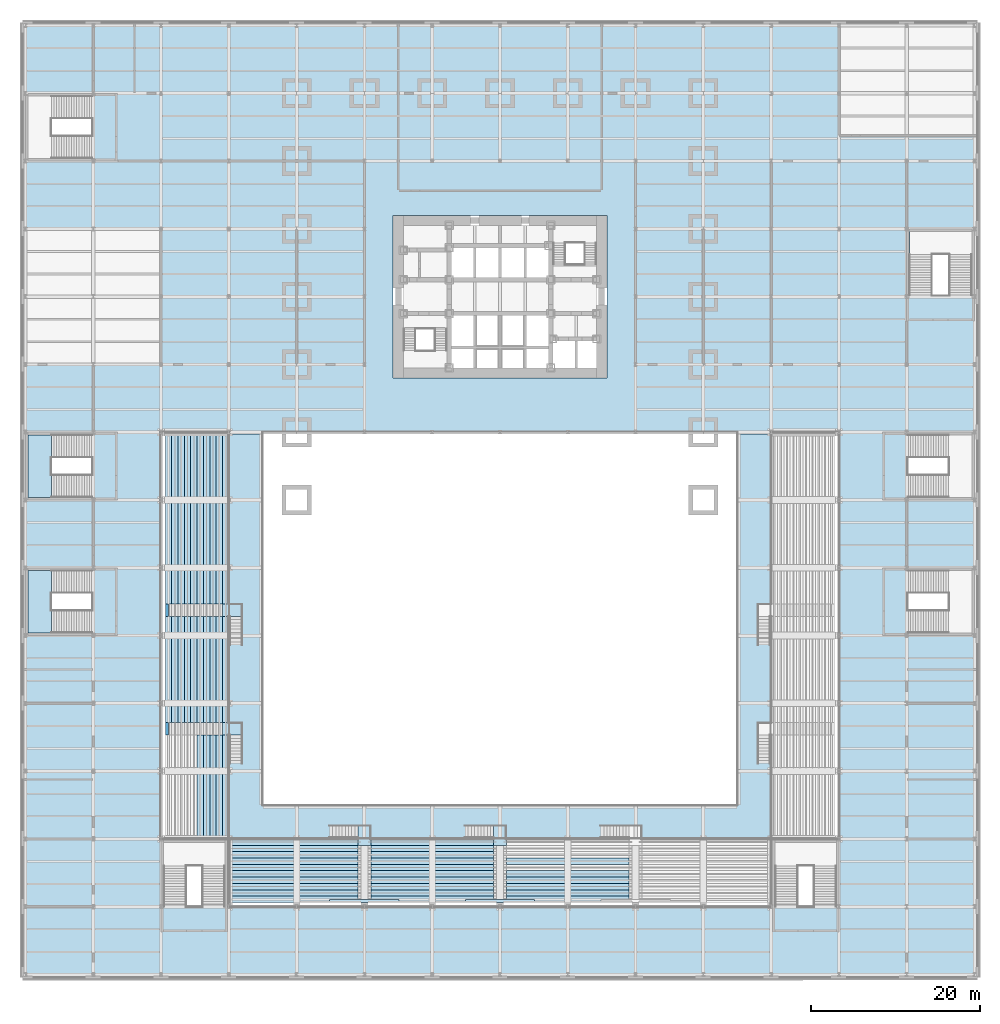
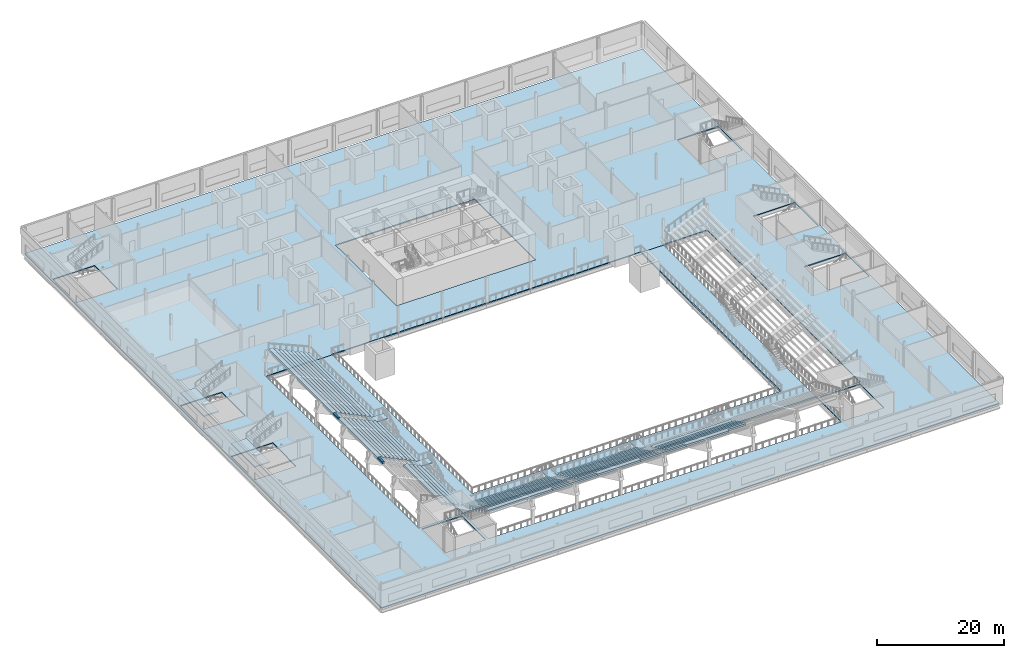
# One storey, part 11 of 27: 63 slabs, 6 elements without a shape of their own.
"""IFC4 building model written with IfcOpenShell, lengths in metres."""

from ifc_helpers import new_model, si_unit, direction, frame, origin, place, context, subcontext, project, spatial, polyline, outline, extrude, material, layer, layer_set, type_object, element, aggregate, save


model = new_model("IFC4")

# Units and contexts
model_context = context("Model", 3, precision=1e-05, world=origin(), true_north=direction((0.0, 1.0)))
body_context = subcontext(model_context, "Body", "Model", "MODEL_VIEW")
ifc_project = project(units=[si_unit("LENGTHUNIT", "METRE"), si_unit("AREAUNIT", "SQUARE_METRE"), si_unit("VOLUMEUNIT", "CUBIC_METRE"), si_unit("PLANEANGLEUNIT", "RADIAN"), si_unit("MASSUNIT", "GRAM", prefix="KILO")], contexts=[model_context])

# Site, building, storey
site_placement = place(None, origin())
site = spatial("IfcSite", under=ifc_project, at=site_placement, CompositionType="ELEMENT")
building_placement = place(site_placement, origin())
building = spatial("IfcBuilding", under=site, at=building_placement, Name="Daluyong Arena Tower", CompositionType="ELEMENT")
storey_placement = place(building_placement, frame((0.0, 0.0, 14.89990234375)))
storey = spatial("IfcBuildingStorey", under=building, at=storey_placement, Name="L03", CompositionType="ELEMENT", Elevation=14.89990234375)

# Slab
ifc_material_1 = material(Name="Concrete fc' 35 MPa", Category="concrete")
ifc_layer_1 = layer(ifc_material_1, 0.199951171875)
ifc_layer_set_1 = layer_set([ifc_layer_1], Name="Concrete fc' 35 MPa")
slab_type_1 = type_object("IfcSlabType", Name="Podium floor slab 200", PredefinedType="FLOOR", material=ifc_layer_set_1)
slab_1_placement = place(storey_placement, frame((0.0, 0.0, -0.199951171875)))
element("IfcSlab", 1, at=slab_1_placement, inside=storey, type_object=slab_type_1, Name="podium floor L03 part 8", PredefinedType="FLOOR", context=body_context, shape_type="SweptSolid", body=[
    extrude(outline(polyline([(112.0, 112.0), (0.0, 112.0), (0.0, 0.0), (112.0, 0.0), (112.0, 112.0)]), holes=[polyline([(88.0, 64.0), (96.0, 64.0), (96.0, 16.0), (88.0, 16.0), (88.0, 8.0), (24.0, 8.0), (24.0, 16.0), (16.0, 16.0), (16.0, 64.0), (24.0, 64.0), (24.0, 63.8095703125), (28.0, 63.8095703125), (28.0, 64.0), (84.0, 64.0), (84.0, 63.8095703125), (88.0, 63.8095703125), (88.0, 64.0)]), polyline([(23.550048828125, 15.550048828125), (23.550048828125, 8.010009765625), (19.0, 8.010009765625), (19.0, 8.06005859375), (16.300048828125, 8.06005859375), (16.300048828125, 15.550048828125), (23.550048828125, 15.550048828125)]), polyline([(7.7900390625, 40.300048828125), (0.300048828125, 40.300048828125), (0.300048828125, 47.699951171875), (7.840087890625, 47.699951171875), (7.840087890625, 43.0), (7.7900390625, 43.0), (7.7900390625, 40.300048828125)]), polyline([(7.7900390625, 56.300048828125), (0.300048828125, 56.300048828125), (0.300048828125, 63.699951171875), (7.840087890625, 63.699951171875), (7.840087890625, 59.0), (7.7900390625, 59.0), (7.7900390625, 56.300048828125)]), polyline([(68.60009765625, 89.60009765625), (68.60009765625, 70.39990234375), (43.39990234375, 70.39990234375), (43.39990234375, 89.60009765625), (68.60009765625, 89.60009765625)]), polyline([(7.7900390625, 99.0), (7.7900390625, 96.300048828125), (0.300048828125, 96.300048828125), (0.300048828125, 103.699951171875), (7.840087890625, 103.699951171875), (7.840087890625, 99.0), (7.7900390625, 99.0)]), polyline([(95.699951171875, 8.010009765625), (91.14990234375, 8.010009765625), (91.14990234375, 8.06005859375), (88.449951171875, 8.06005859375), (88.449951171875, 15.550048828125), (95.699951171875, 15.550048828125), (95.699951171875, 8.010009765625)]), polyline([(104.159912109375, 43.0), (104.159912109375, 47.699951171875), (111.699951171875, 47.699951171875), (111.699951171875, 40.300048828125), (104.2099609375, 40.300048828125), (104.2099609375, 43.0), (104.159912109375, 43.0)]), polyline([(104.2099609375, 59.0), (104.159912109375, 59.0), (104.159912109375, 63.699951171875), (111.699951171875, 63.699951171875), (111.699951171875, 56.300048828125), (104.2099609375, 56.300048828125), (104.2099609375, 59.0)]), polyline([(107.0, 80.159912109375), (107.0, 80.2099609375), (104.300048828125, 80.2099609375), (104.300048828125, 87.699951171875), (111.699951171875, 87.699951171875), (111.699951171875, 80.159912109375), (107.0, 80.159912109375)])]), origin(), (0.0, 0.0, 1.0), 0.199951171875),
])

# Stair, slab
ifc_material_2 = material(Name="Concrete fc' 35 MPa", Category="concrete")
stair_type_1 = type_object("IfcStairType", Name="Podium exit stair", PredefinedType="HALF_TURN_STAIR", material=ifc_material_2)
stair_1_placement = place(storey_placement, origin())
stair_1 = element("IfcStair", 2, at=stair_1_placement, inside=storey, type_object=stair_type_1, Name="exit stair PS3 L03", PredefinedType="HALF_TURN_STAIR")
ifc_material_3 = material(Name="Concrete fc' 35 MPa", Category="concrete")
ifc_layer_2 = layer(ifc_material_3, 0.199951171875)
ifc_layer_set_2 = layer_set([ifc_layer_2], Name="Concrete fc' 35 MPa")
slab_type_2 = type_object("IfcSlabType", Name="Stair landing 200", PredefinedType="LANDING", material=ifc_layer_set_2)
slab_2_placement = place(storey_placement, frame((0.0, 0.0, 2.300048828125)))
slab_2 = element("IfcSlab", 3, at=slab_2_placement, type_object=slab_type_2, Name="PS3 landing 1", PredefinedType="LANDING", context=body_context, shape_type="SweptSolid", body=[
    extrude(outline(polyline([(3.0400390625, 40.300048828125), (3.0400390625, 47.699951171875), (0.300048828125, 47.699951171875), (0.300048828125, 40.300048828125), (3.0400390625, 40.300048828125)])), origin(), (0.0, 0.0, 1.0), 0.199951171875),
])
aggregate(stair_1, [slab_2])

stair_2_placement = place(storey_placement, origin())
stair_2 = element("IfcStair", 4, at=stair_2_placement, inside=storey, type_object=stair_type_1, Name="exit stair PS7 L03", PredefinedType="HALF_TURN_STAIR")
slab_3_placement = place(storey_placement, frame((0.0, 0.0, 2.300048828125)))
slab_3 = element("IfcSlab", 5, at=slab_3_placement, type_object=slab_type_2, Name="PS7 landing 1", PredefinedType="LANDING", context=body_context, shape_type="SweptSolid", body=[
    extrude(outline(polyline([(3.0400390625, 56.300048828125), (3.0400390625, 63.699951171875), (0.300048828125, 63.699951171875), (0.300048828125, 56.300048828125), (3.0400390625, 56.300048828125)])), origin(), (0.0, 0.0, 1.0), 0.199951171875),
])
aggregate(stair_2, [slab_3])

ifc_material_4 = material(Name="Concrete fc' 35 MPa", Category="concrete")
stair_type_2 = type_object("IfcStairType", Name="Bowl aisle stair", PredefinedType="STRAIGHT_RUN_STAIR", material=ifc_material_4)
stair_3_placement = place(storey_placement, origin())
stair_3 = element("IfcStair", 6, at=stair_3_placement, inside=storey, type_object=stair_type_2, Name="upper bowl aisle stair", PredefinedType="STRAIGHT_RUN_STAIR")
slab_4_placement = place(storey_placement, frame((0.0, 0.0, 1.585693359375)))
slab_4 = element("IfcSlab", 7, at=slab_4_placement, type_object=slab_type_2, Name="AS landing 1", PredefinedType="LANDING", context=body_context, shape_type="SweptSolid", body=[
    extrude(outline(polyline([(23.25, 28.25), (25.60009765625, 28.25), (25.60009765625, 29.75), (23.25, 29.75), (23.25, 28.25)])), origin(), (0.0, 0.0, 1.0), 0.2001953125),
])
aggregate(stair_3, [slab_4])

stair_4_placement = place(storey_placement, origin())
stair_4 = element("IfcStair", 8, at=stair_4_placement, inside=storey, type_object=stair_type_2, Name="upper bowl aisle stair", PredefinedType="STRAIGHT_RUN_STAIR")
slab_5_placement = place(storey_placement, frame((0.0, 0.0, 1.585693359375)))
slab_5 = element("IfcSlab", 9, at=slab_5_placement, type_object=slab_type_2, Name="AS landing 1", PredefinedType="LANDING", context=body_context, shape_type="SweptSolid", body=[
    extrude(outline(polyline([(23.25, 42.25), (25.60009765625, 42.25), (25.60009765625, 43.75), (23.25, 43.75), (23.25, 42.25)])), origin(), (0.0, 0.0, 1.0), 0.2001953125),
])
aggregate(stair_4, [slab_5])

stair_5_placement = place(storey_placement, origin())
stair_5 = element("IfcStair", 10, at=stair_5_placement, inside=storey, type_object=stair_type_2, Name="upper bowl aisle stair", PredefinedType="STRAIGHT_RUN_STAIR")
slab_6_placement = place(storey_placement, frame((0.0, 0.0, 1.585693359375)))
slab_6 = element("IfcSlab", 11, at=slab_6_placement, type_object=slab_type_2, Name="AS landing 1", PredefinedType="LANDING", context=body_context, shape_type="SweptSolid", body=[
    extrude(outline(polyline([(39.25, 15.25), (40.75, 15.25), (40.75, 17.60009765625), (39.25, 17.60009765625), (39.25, 15.25)])), origin(), (0.0, 0.0, 1.0), 0.2001953125),
])
aggregate(stair_5, [slab_6])

stair_6_placement = place(storey_placement, origin())
stair_6 = element("IfcStair", 12, at=stair_6_placement, inside=storey, type_object=stair_type_2, Name="upper bowl aisle stair", PredefinedType="STRAIGHT_RUN_STAIR")
slab_7_placement = place(storey_placement, frame((0.0, 0.0, 1.585693359375)))
slab_7 = element("IfcSlab", 13, at=slab_7_placement, type_object=slab_type_2, Name="AS landing 1", PredefinedType="LANDING", context=body_context, shape_type="SweptSolid", body=[
    extrude(outline(polyline([(55.25, 15.25), (56.75, 15.25), (56.75, 17.60009765625), (55.25, 17.60009765625), (55.25, 15.25)])), origin(), (0.0, 0.0, 1.0), 0.2001953125),
])
aggregate(stair_6, [slab_7])

# Slabs
ifc_material_5 = material(Name="Concrete fc' 35 MPa", Category="concrete")
ifc_layer_3 = layer(ifc_material_5, 0.300048828125)
ifc_layer_set_3 = layer_set([ifc_layer_3], Name="Concrete fc' 35 MPa")
slab_type_3 = type_object("IfcSlabType", Name="Upper bowl cross-aisle slab 300", PredefinedType="FLOOR", material=ifc_layer_set_3)
slab_8_placement = place(storey_placement, frame((0.0, 0.0, -0.2998046875)))
element("IfcSlab", 14, at=slab_8_placement, inside=storey, type_object=slab_type_3, Name="upper bowl cross-aisle", PredefinedType="FLOOR", context=body_context, shape_type="SweptSolid", body=[
    extrude(outline(polyline([(88.0, 16.0), (88.0, 63.8095703125), (84.0, 63.8095703125), (84.0, 20.0), (28.0, 20.0), (28.0, 63.8095703125), (24.0, 63.8095703125), (24.0, 16.0), (88.0, 16.0)])), origin(), (0.0, 0.0, 1.0), 0.2998046875),
])
ifc_material_6 = material(Name="Concrete fc' 45 MPa", Category="concrete")
ifc_layer_4 = layer(ifc_material_6, 0.357177734375)
ifc_layer_set_4 = layer_set([ifc_layer_4], Name="Concrete fc' 45 MPa")
slab_type_4 = type_object("IfcSlabType", Name="Upper seating aisle head unit", PredefinedType="USERDEFINED", material=ifc_layer_set_4)
slab_9_placement = place(storey_placement, frame((0.0, 0.0, 4.64306640625)))
element("IfcSlab", 15, at=slab_9_placement, inside=storey, type_object=slab_type_4, Name="upper seating row 10 W aisle head 1", ObjectType="SEATING UNIT", PredefinedType="USERDEFINED", context=body_context, shape_type="SweptSolid", body=[
    extrude(outline(polyline([(16.5, 28.25), (16.875, 28.25), (16.875, 29.75), (16.5, 29.75), (16.5, 28.25)])), origin(), (0.0, 0.0, 1.0), 0.35693359375),
])
slab_10_placement = place(storey_placement, frame((0.0, 0.0, 4.64306640625)))
element("IfcSlab", 16, at=slab_10_placement, inside=storey, type_object=slab_type_4, Name="upper seating row 10 W aisle head 2", ObjectType="SEATING UNIT", PredefinedType="USERDEFINED", context=body_context, shape_type="SweptSolid", body=[
    extrude(outline(polyline([(16.5, 42.25), (16.875, 42.25), (16.875, 43.75), (16.5, 43.75), (16.5, 42.25)])), origin(), (0.0, 0.0, 1.0), 0.35693359375),
])
slab_11_placement = place(storey_placement, frame((0.0, 0.0, 4.64306640625)))
element("IfcSlab", 17, at=slab_11_placement, inside=storey, type_object=slab_type_4, Name="upper seating row 10 S aisle head 1", ObjectType="SEATING UNIT", PredefinedType="USERDEFINED", context=body_context, shape_type="SweptSolid", body=[
    extrude(outline(polyline([(35.89990234375, 8.875), (35.89990234375, 8.5), (44.10009765625, 8.5), (44.10009765625, 8.875), (35.89990234375, 8.875)])), origin(), (0.0, 0.0, 1.0), 0.35693359375),
])
slab_12_placement = place(storey_placement, frame((0.0, 0.0, 4.64306640625)))
element("IfcSlab", 18, at=slab_12_placement, inside=storey, type_object=slab_type_4, Name="upper seating row 10 S aisle head 2", ObjectType="SEATING UNIT", PredefinedType="USERDEFINED", context=body_context, shape_type="SweptSolid", body=[
    extrude(outline(polyline([(60.10009765625, 8.5), (60.10009765625, 8.875), (51.89990234375, 8.875), (51.89990234375, 8.5), (60.10009765625, 8.5)])), origin(), (0.0, 0.0, 1.0), 0.35693359375),
])
ifc_material_7 = material(Name="Concrete fc' 45 MPa", Category="concrete")
ifc_layer_5 = layer(ifc_material_7, 0.357177734375)
ifc_layer_set_5 = layer_set([ifc_layer_5], Name="Concrete fc' 45 MPa")
slab_type_5 = type_object("IfcSlabType", Name="Upper seating unit", PredefinedType="USERDEFINED", material=ifc_layer_set_5)
slab_13_placement = place(storey_placement, frame((0.0, 0.0, 1.4287109375)))
element("IfcSlab", 19, at=slab_13_placement, inside=storey, type_object=slab_type_5, Name="upper seating row 1 W part 1", ObjectType="SEATING UNIT", PredefinedType="USERDEFINED", context=body_context, shape_type="SweptSolid", body=[
    extrude(outline(polyline([(24.0, 16.0), (24.0, 28.25), (23.25, 28.25), (23.25, 16.0), (24.0, 16.0)])), origin(), (0.0, 0.0, 1.0), 0.357177734375),
])
slab_14_placement = place(storey_placement, frame((0.0, 0.0, 1.4287109375)))
element("IfcSlab", 20, at=slab_14_placement, inside=storey, type_object=slab_type_5, Name="upper seating row 1 W part 2", ObjectType="SEATING UNIT", PredefinedType="USERDEFINED", context=body_context, shape_type="SweptSolid", body=[
    extrude(outline(polyline([(24.0, 29.75), (24.0, 42.25), (23.25, 42.25), (23.25, 29.75), (24.0, 29.75)])), origin(), (0.0, 0.0, 1.0), 0.357177734375),
])
slab_15_placement = place(storey_placement, frame((0.0, 0.0, 1.4287109375)))
element("IfcSlab", 21, at=slab_15_placement, inside=storey, type_object=slab_type_5, Name="upper seating row 1 W part 3", ObjectType="SEATING UNIT", PredefinedType="USERDEFINED", context=body_context, shape_type="SweptSolid", body=[
    extrude(outline(polyline([(23.25, 64.0), (23.25, 43.75), (24.0, 43.75), (24.0, 64.0), (23.25, 64.0)])), origin(), (0.0, 0.0, 1.0), 0.357177734375),
])
slab_16_placement = place(storey_placement, frame((0.0, 0.0, 1.4287109375)))
element("IfcSlab", 22, at=slab_16_placement, inside=storey, type_object=slab_type_5, Name="upper seating row 1 S part 1", ObjectType="SEATING UNIT", PredefinedType="USERDEFINED", context=body_context, shape_type="SweptSolid", body=[
    extrude(outline(polyline([(24.0, 15.25), (39.25, 15.25), (39.25, 16.0), (24.0, 16.0), (24.0, 15.25)])), origin(), (0.0, 0.0, 1.0), 0.357177734375),
])
slab_17_placement = place(storey_placement, frame((0.0, 0.0, 1.4287109375)))
element("IfcSlab", 23, at=slab_17_placement, inside=storey, type_object=slab_type_5, Name="upper seating row 1 S part 2", ObjectType="SEATING UNIT", PredefinedType="USERDEFINED", context=body_context, shape_type="SweptSolid", body=[
    extrude(outline(polyline([(55.25, 16.0), (40.75, 16.0), (40.75, 15.25), (55.25, 15.25), (55.25, 16.0)])), origin(), (0.0, 0.0, 1.0), 0.357177734375),
])
slab_18_placement = place(storey_placement, frame((0.0, 0.0, 1.785888671875)))
element("IfcSlab", 24, at=slab_18_placement, inside=storey, type_object=slab_type_5, Name="upper seating row 2 W part 1", ObjectType="SEATING UNIT", PredefinedType="USERDEFINED", context=body_context, shape_type="SweptSolid", body=[
    extrude(outline(polyline([(23.25, 16.0), (23.25, 28.25), (22.5, 28.25), (22.5, 16.0), (23.25, 16.0)])), origin(), (0.0, 0.0, 1.0), 0.357177734375),
])
slab_19_placement = place(storey_placement, frame((0.0, 0.0, 1.785888671875)))
element("IfcSlab", 25, at=slab_19_placement, inside=storey, type_object=slab_type_5, Name="upper seating row 2 W part 2", ObjectType="SEATING UNIT", PredefinedType="USERDEFINED", context=body_context, shape_type="SweptSolid", body=[
    extrude(outline(polyline([(23.25, 29.75), (23.25, 42.25), (22.5, 42.25), (22.5, 29.75), (23.25, 29.75)])), origin(), (0.0, 0.0, 1.0), 0.357177734375),
])
slab_20_placement = place(storey_placement, frame((0.0, 0.0, 1.785888671875)))
element("IfcSlab", 26, at=slab_20_placement, inside=storey, type_object=slab_type_5, Name="upper seating row 2 W part 3", ObjectType="SEATING UNIT", PredefinedType="USERDEFINED", context=body_context, shape_type="SweptSolid", body=[
    extrude(outline(polyline([(22.5, 64.0), (22.5, 43.75), (23.25, 43.75), (23.25, 64.0), (22.5, 64.0)])), origin(), (0.0, 0.0, 1.0), 0.357177734375),
])
slab_21_placement = place(storey_placement, frame((0.0, 0.0, 1.785888671875)))
element("IfcSlab", 27, at=slab_21_placement, inside=storey, type_object=slab_type_5, Name="upper seating row 2 S part 1", ObjectType="SEATING UNIT", PredefinedType="USERDEFINED", context=body_context, shape_type="SweptSolid", body=[
    extrude(outline(polyline([(24.0, 14.5), (39.25, 14.5), (39.25, 15.25), (24.0, 15.25), (24.0, 14.5)])), origin(), (0.0, 0.0, 1.0), 0.357177734375),
])
slab_22_placement = place(storey_placement, frame((0.0, 0.0, 1.785888671875)))
element("IfcSlab", 28, at=slab_22_placement, inside=storey, type_object=slab_type_5, Name="upper seating row 2 S part 2", ObjectType="SEATING UNIT", PredefinedType="USERDEFINED", context=body_context, shape_type="SweptSolid", body=[
    extrude(outline(polyline([(55.25, 15.25), (40.75, 15.25), (40.75, 14.5), (55.25, 14.5), (55.25, 15.25)])), origin(), (0.0, 0.0, 1.0), 0.357177734375),
])
slab_23_placement = place(storey_placement, frame((0.0, 0.0, 2.14306640625)))
element("IfcSlab", 29, at=slab_23_placement, inside=storey, type_object=slab_type_5, Name="upper seating row 3 W part 1", ObjectType="SEATING UNIT", PredefinedType="USERDEFINED", context=body_context, shape_type="SweptSolid", body=[
    extrude(outline(polyline([(22.5, 16.0), (22.5, 28.25), (21.75, 28.25), (21.75, 16.0), (22.5, 16.0)])), origin(), (0.0, 0.0, 1.0), 0.35693359375),
])
slab_24_placement = place(storey_placement, frame((0.0, 0.0, 2.14306640625)))
element("IfcSlab", 30, at=slab_24_placement, inside=storey, type_object=slab_type_5, Name="upper seating row 3 W part 2", ObjectType="SEATING UNIT", PredefinedType="USERDEFINED", context=body_context, shape_type="SweptSolid", body=[
    extrude(outline(polyline([(22.5, 29.75), (22.5, 42.25), (21.75, 42.25), (21.75, 29.75), (22.5, 29.75)])), origin(), (0.0, 0.0, 1.0), 0.35693359375),
])
slab_25_placement = place(storey_placement, frame((0.0, 0.0, 2.14306640625)))
element("IfcSlab", 31, at=slab_25_placement, inside=storey, type_object=slab_type_5, Name="upper seating row 3 W part 3", ObjectType="SEATING UNIT", PredefinedType="USERDEFINED", context=body_context, shape_type="SweptSolid", body=[
    extrude(outline(polyline([(21.75, 64.0), (21.75, 43.75), (22.5, 43.75), (22.5, 64.0), (21.75, 64.0)])), origin(), (0.0, 0.0, 1.0), 0.35693359375),
])
slab_26_placement = place(storey_placement, frame((0.0, 0.0, 2.14306640625)))
element("IfcSlab", 32, at=slab_26_placement, inside=storey, type_object=slab_type_5, Name="upper seating row 3 S part 1", ObjectType="SEATING UNIT", PredefinedType="USERDEFINED", context=body_context, shape_type="SweptSolid", body=[
    extrude(outline(polyline([(24.0, 13.75), (39.25, 13.75), (39.25, 14.5), (24.0, 14.5), (24.0, 13.75)])), origin(), (0.0, 0.0, 1.0), 0.35693359375),
])
slab_27_placement = place(storey_placement, frame((0.0, 0.0, 2.14306640625)))
element("IfcSlab", 33, at=slab_27_placement, inside=storey, type_object=slab_type_5, Name="upper seating row 3 S part 2", ObjectType="SEATING UNIT", PredefinedType="USERDEFINED", context=body_context, shape_type="SweptSolid", body=[
    extrude(outline(polyline([(55.25, 14.5), (40.75, 14.5), (40.75, 13.75), (55.25, 13.75), (55.25, 14.5)])), origin(), (0.0, 0.0, 1.0), 0.35693359375),
])
slab_28_placement = place(storey_placement, frame((0.0, 0.0, 2.5)))
element("IfcSlab", 34, at=slab_28_placement, inside=storey, type_object=slab_type_5, Name="upper seating row 4 W part 1", ObjectType="SEATING UNIT", PredefinedType="USERDEFINED", context=body_context, shape_type="SweptSolid", body=[
    extrude(outline(polyline([(21.75, 16.0), (21.75, 28.25), (21.0, 28.25), (21.0, 16.0), (21.75, 16.0)])), origin(), (0.0, 0.0, 1.0), 0.357177734375),
])
slab_29_placement = place(storey_placement, frame((0.0, 0.0, 2.5)))
element("IfcSlab", 35, at=slab_29_placement, inside=storey, type_object=slab_type_5, Name="upper seating row 4 W part 2", ObjectType="SEATING UNIT", PredefinedType="USERDEFINED", context=body_context, shape_type="SweptSolid", body=[
    extrude(outline(polyline([(21.75, 29.75), (21.75, 42.25), (21.0, 42.25), (21.0, 29.75), (21.75, 29.75)])), origin(), (0.0, 0.0, 1.0), 0.357177734375),
])
slab_30_placement = place(storey_placement, frame((0.0, 0.0, 2.5)))
element("IfcSlab", 36, at=slab_30_placement, inside=storey, type_object=slab_type_5, Name="upper seating row 4 W part 3", ObjectType="SEATING UNIT", PredefinedType="USERDEFINED", context=body_context, shape_type="SweptSolid", body=[
    extrude(outline(polyline([(21.0, 64.0), (21.0, 43.75), (21.75, 43.75), (21.75, 64.0), (21.0, 64.0)])), origin(), (0.0, 0.0, 1.0), 0.357177734375),
])
slab_31_placement = place(storey_placement, frame((0.0, 0.0, 2.5)))
element("IfcSlab", 37, at=slab_31_placement, inside=storey, type_object=slab_type_5, Name="upper seating row 4 S part 1", ObjectType="SEATING UNIT", PredefinedType="USERDEFINED", context=body_context, shape_type="SweptSolid", body=[
    extrude(outline(polyline([(24.0, 13.0), (39.25, 13.0), (39.25, 13.75), (24.0, 13.75), (24.0, 13.0)])), origin(), (0.0, 0.0, 1.0), 0.357177734375),
])
slab_32_placement = place(storey_placement, frame((0.0, 0.0, 2.5)))
element("IfcSlab", 38, at=slab_32_placement, inside=storey, type_object=slab_type_5, Name="upper seating row 4 S part 2", ObjectType="SEATING UNIT", PredefinedType="USERDEFINED", context=body_context, shape_type="SweptSolid", body=[
    extrude(outline(polyline([(55.25, 13.75), (40.75, 13.75), (40.75, 13.0), (55.25, 13.0), (55.25, 13.75)])), origin(), (0.0, 0.0, 1.0), 0.357177734375),
])
slab_33_placement = place(storey_placement, frame((0.0, 0.0, 2.5)))
element("IfcSlab", 39, at=slab_33_placement, inside=storey, type_object=slab_type_5, Name="upper seating row 4 S part 3", ObjectType="SEATING UNIT", PredefinedType="USERDEFINED", context=body_context, shape_type="SweptSolid", body=[
    extrude(outline(polyline([(71.25, 13.75), (56.75, 13.75), (56.75, 13.0), (71.25, 13.0), (71.25, 13.75)])), origin(), (0.0, 0.0, 1.0), 0.357177734375),
])
slab_34_placement = place(storey_placement, frame((0.0, 0.0, 2.857177734375)))
element("IfcSlab", 40, at=slab_34_placement, inside=storey, type_object=slab_type_5, Name="upper seating row 5 W part 1", ObjectType="SEATING UNIT", PredefinedType="USERDEFINED", context=body_context, shape_type="SweptSolid", body=[
    extrude(outline(polyline([(21.0, 16.0), (21.0, 28.25), (20.25, 28.25), (20.25, 16.0), (21.0, 16.0)])), origin(), (0.0, 0.0, 1.0), 0.357177734375),
])
slab_35_placement = place(storey_placement, frame((0.0, 0.0, 2.857177734375)))
element("IfcSlab", 41, at=slab_35_placement, inside=storey, type_object=slab_type_5, Name="upper seating row 5 W part 2", ObjectType="SEATING UNIT", PredefinedType="USERDEFINED", context=body_context, shape_type="SweptSolid", body=[
    extrude(outline(polyline([(21.0, 29.75), (21.0, 42.25), (20.25, 42.25), (20.25, 29.75), (21.0, 29.75)])), origin(), (0.0, 0.0, 1.0), 0.357177734375),
])
slab_36_placement = place(storey_placement, frame((0.0, 0.0, 2.857177734375)))
element("IfcSlab", 42, at=slab_36_placement, inside=storey, type_object=slab_type_5, Name="upper seating row 5 W part 3", ObjectType="SEATING UNIT", PredefinedType="USERDEFINED", context=body_context, shape_type="SweptSolid", body=[
    extrude(outline(polyline([(20.25, 64.0), (20.25, 43.75), (21.0, 43.75), (21.0, 64.0), (20.25, 64.0)])), origin(), (0.0, 0.0, 1.0), 0.357177734375),
])
slab_37_placement = place(storey_placement, frame((0.0, 0.0, 2.857177734375)))
element("IfcSlab", 43, at=slab_37_placement, inside=storey, type_object=slab_type_5, Name="upper seating row 5 S part 1", ObjectType="SEATING UNIT", PredefinedType="USERDEFINED", context=body_context, shape_type="SweptSolid", body=[
    extrude(outline(polyline([(24.0, 12.25), (39.25, 12.25), (39.25, 13.0), (24.0, 13.0), (24.0, 12.25)])), origin(), (0.0, 0.0, 1.0), 0.357177734375),
])
slab_38_placement = place(storey_placement, frame((0.0, 0.0, 2.857177734375)))
element("IfcSlab", 44, at=slab_38_placement, inside=storey, type_object=slab_type_5, Name="upper seating row 5 S part 2", ObjectType="SEATING UNIT", PredefinedType="USERDEFINED", context=body_context, shape_type="SweptSolid", body=[
    extrude(outline(polyline([(55.25, 13.0), (40.75, 13.0), (40.75, 12.25), (55.25, 12.25), (55.25, 13.0)])), origin(), (0.0, 0.0, 1.0), 0.357177734375),
])
slab_39_placement = place(storey_placement, frame((0.0, 0.0, 3.21435546875)))
element("IfcSlab", 45, at=slab_39_placement, inside=storey, type_object=slab_type_5, Name="upper seating row 6 W part 2", ObjectType="SEATING UNIT", PredefinedType="USERDEFINED", context=body_context, shape_type="SweptSolid", body=[
    extrude(outline(polyline([(20.25, 29.75), (20.25, 42.25), (19.5, 42.25), (19.5, 29.75), (20.25, 29.75)])), origin(), (0.0, 0.0, 1.0), 0.357177734375),
])
slab_40_placement = place(storey_placement, frame((0.0, 0.0, 3.21435546875)))
element("IfcSlab", 46, at=slab_40_placement, inside=storey, type_object=slab_type_5, Name="upper seating row 6 W part 3", ObjectType="SEATING UNIT", PredefinedType="USERDEFINED", context=body_context, shape_type="SweptSolid", body=[
    extrude(outline(polyline([(19.5, 64.0), (19.5, 43.75), (20.25, 43.75), (20.25, 64.0), (19.5, 64.0)])), origin(), (0.0, 0.0, 1.0), 0.357177734375),
])
slab_41_placement = place(storey_placement, frame((0.0, 0.0, 3.21435546875)))
element("IfcSlab", 47, at=slab_41_placement, inside=storey, type_object=slab_type_5, Name="upper seating row 6 S part 1", ObjectType="SEATING UNIT", PredefinedType="USERDEFINED", context=body_context, shape_type="SweptSolid", body=[
    extrude(outline(polyline([(24.0, 11.5), (39.25, 11.5), (39.25, 12.25), (24.0, 12.25), (24.0, 11.5)])), origin(), (0.0, 0.0, 1.0), 0.357177734375),
])
slab_42_placement = place(storey_placement, frame((0.0, 0.0, 3.21435546875)))
element("IfcSlab", 48, at=slab_42_placement, inside=storey, type_object=slab_type_5, Name="upper seating row 6 S part 2", ObjectType="SEATING UNIT", PredefinedType="USERDEFINED", context=body_context, shape_type="SweptSolid", body=[
    extrude(outline(polyline([(55.25, 12.25), (40.75, 12.25), (40.75, 11.5), (55.25, 11.5), (55.25, 12.25)])), origin(), (0.0, 0.0, 1.0), 0.357177734375),
])
slab_43_placement = place(storey_placement, frame((0.0, 0.0, 3.21435546875)))
element("IfcSlab", 49, at=slab_43_placement, inside=storey, type_object=slab_type_5, Name="upper seating row 6 S part 3", ObjectType="SEATING UNIT", PredefinedType="USERDEFINED", context=body_context, shape_type="SweptSolid", body=[
    extrude(outline(polyline([(71.25, 12.25), (56.75, 12.25), (56.75, 11.5), (71.25, 11.5), (71.25, 12.25)])), origin(), (0.0, 0.0, 1.0), 0.357177734375),
])
slab_44_placement = place(storey_placement, frame((0.0, 0.0, 3.571533203125)))
element("IfcSlab", 50, at=slab_44_placement, inside=storey, type_object=slab_type_5, Name="upper seating row 7 W part 2", ObjectType="SEATING UNIT", PredefinedType="USERDEFINED", context=body_context, shape_type="SweptSolid", body=[
    extrude(outline(polyline([(19.5, 29.75), (19.5, 42.25), (18.75, 42.25), (18.75, 29.75), (19.5, 29.75)])), origin(), (0.0, 0.0, 1.0), 0.357177734375),
])
slab_45_placement = place(storey_placement, frame((0.0, 0.0, 3.571533203125)))
element("IfcSlab", 51, at=slab_45_placement, inside=storey, type_object=slab_type_5, Name="upper seating row 7 W part 3", ObjectType="SEATING UNIT", PredefinedType="USERDEFINED", context=body_context, shape_type="SweptSolid", body=[
    extrude(outline(polyline([(18.75, 64.0), (18.75, 43.75), (19.5, 43.75), (19.5, 64.0), (18.75, 64.0)])), origin(), (0.0, 0.0, 1.0), 0.357177734375),
])
slab_46_placement = place(storey_placement, frame((0.0, 0.0, 3.571533203125)))
element("IfcSlab", 52, at=slab_46_placement, inside=storey, type_object=slab_type_5, Name="upper seating row 7 S part 1", ObjectType="SEATING UNIT", PredefinedType="USERDEFINED", context=body_context, shape_type="SweptSolid", body=[
    extrude(outline(polyline([(24.0, 10.75), (39.25, 10.75), (39.25, 11.5), (24.0, 11.5), (24.0, 10.75)])), origin(), (0.0, 0.0, 1.0), 0.357177734375),
])
slab_47_placement = place(storey_placement, frame((0.0, 0.0, 3.571533203125)))
element("IfcSlab", 53, at=slab_47_placement, inside=storey, type_object=slab_type_5, Name="upper seating row 7 S part 2", ObjectType="SEATING UNIT", PredefinedType="USERDEFINED", context=body_context, shape_type="SweptSolid", body=[
    extrude(outline(polyline([(55.25, 11.5), (40.75, 11.5), (40.75, 10.75), (55.25, 10.75), (55.25, 11.5)])), origin(), (0.0, 0.0, 1.0), 0.357177734375),
])
slab_48_placement = place(storey_placement, frame((0.0, 0.0, 3.571533203125)))
element("IfcSlab", 54, at=slab_48_placement, inside=storey, type_object=slab_type_5, Name="upper seating row 7 S part 3", ObjectType="SEATING UNIT", PredefinedType="USERDEFINED", context=body_context, shape_type="SweptSolid", body=[
    extrude(outline(polyline([(71.25, 11.5), (56.75, 11.5), (56.75, 10.75), (71.25, 10.75), (71.25, 11.5)])), origin(), (0.0, 0.0, 1.0), 0.357177734375),
])
slab_49_placement = place(storey_placement, frame((0.0, 0.0, 3.9287109375)))
element("IfcSlab", 55, at=slab_49_placement, inside=storey, type_object=slab_type_5, Name="upper seating row 8 W part 2", ObjectType="SEATING UNIT", PredefinedType="USERDEFINED", context=body_context, shape_type="SweptSolid", body=[
    extrude(outline(polyline([(18.75, 29.75), (18.75, 42.25), (18.0, 42.25), (18.0, 29.75), (18.75, 29.75)])), origin(), (0.0, 0.0, 1.0), 0.357177734375),
])
slab_50_placement = place(storey_placement, frame((0.0, 0.0, 3.9287109375)))
element("IfcSlab", 56, at=slab_50_placement, inside=storey, type_object=slab_type_5, Name="upper seating row 8 W part 3", ObjectType="SEATING UNIT", PredefinedType="USERDEFINED", context=body_context, shape_type="SweptSolid", body=[
    extrude(outline(polyline([(18.0, 64.0), (18.0, 43.75), (18.75, 43.75), (18.75, 64.0), (18.0, 64.0)])), origin(), (0.0, 0.0, 1.0), 0.357177734375),
])
slab_51_placement = place(storey_placement, frame((0.0, 0.0, 3.9287109375)))
element("IfcSlab", 57, at=slab_51_placement, inside=storey, type_object=slab_type_5, Name="upper seating row 8 S part 1", ObjectType="SEATING UNIT", PredefinedType="USERDEFINED", context=body_context, shape_type="SweptSolid", body=[
    extrude(outline(polyline([(24.0, 10.0), (39.25, 10.0), (39.25, 10.75), (24.0, 10.75), (24.0, 10.0)])), origin(), (0.0, 0.0, 1.0), 0.357177734375),
])
slab_52_placement = place(storey_placement, frame((0.0, 0.0, 3.9287109375)))
element("IfcSlab", 58, at=slab_52_placement, inside=storey, type_object=slab_type_5, Name="upper seating row 8 S part 2", ObjectType="SEATING UNIT", PredefinedType="USERDEFINED", context=body_context, shape_type="SweptSolid", body=[
    extrude(outline(polyline([(55.25, 10.75), (40.75, 10.75), (40.75, 10.0), (55.25, 10.0), (55.25, 10.75)])), origin(), (0.0, 0.0, 1.0), 0.357177734375),
])
slab_53_placement = place(storey_placement, frame((0.0, 0.0, 3.9287109375)))
element("IfcSlab", 59, at=slab_53_placement, inside=storey, type_object=slab_type_5, Name="upper seating row 8 S part 3", ObjectType="SEATING UNIT", PredefinedType="USERDEFINED", context=body_context, shape_type="SweptSolid", body=[
    extrude(outline(polyline([(71.25, 10.75), (56.75, 10.75), (56.75, 10.0), (71.25, 10.0), (71.25, 10.75)])), origin(), (0.0, 0.0, 1.0), 0.357177734375),
])
slab_54_placement = place(storey_placement, frame((0.0, 0.0, 4.285888671875)))
element("IfcSlab", 60, at=slab_54_placement, inside=storey, type_object=slab_type_5, Name="upper seating row 9 W part 2", ObjectType="SEATING UNIT", PredefinedType="USERDEFINED", context=body_context, shape_type="SweptSolid", body=[
    extrude(outline(polyline([(18.0, 29.75), (18.0, 42.25), (17.25, 42.25), (17.25, 29.75), (18.0, 29.75)])), origin(), (0.0, 0.0, 1.0), 0.357177734375),
])
slab_55_placement = place(storey_placement, frame((0.0, 0.0, 4.285888671875)))
element("IfcSlab", 61, at=slab_55_placement, inside=storey, type_object=slab_type_5, Name="upper seating row 9 W part 3", ObjectType="SEATING UNIT", PredefinedType="USERDEFINED", context=body_context, shape_type="SweptSolid", body=[
    extrude(outline(polyline([(17.25, 64.0), (17.25, 43.75), (18.0, 43.75), (18.0, 64.0), (17.25, 64.0)])), origin(), (0.0, 0.0, 1.0), 0.357177734375),
])
slab_56_placement = place(storey_placement, frame((0.0, 0.0, 4.285888671875)))
element("IfcSlab", 62, at=slab_56_placement, inside=storey, type_object=slab_type_5, Name="upper seating row 9 S part 1", ObjectType="SEATING UNIT", PredefinedType="USERDEFINED", context=body_context, shape_type="SweptSolid", body=[
    extrude(outline(polyline([(24.0, 9.25), (39.25, 9.25), (39.25, 10.0), (24.0, 10.0), (24.0, 9.25)])), origin(), (0.0, 0.0, 1.0), 0.357177734375),
])
slab_57_placement = place(storey_placement, frame((0.0, 0.0, 4.285888671875)))
element("IfcSlab", 63, at=slab_57_placement, inside=storey, type_object=slab_type_5, Name="upper seating row 9 S part 2", ObjectType="SEATING UNIT", PredefinedType="USERDEFINED", context=body_context, shape_type="SweptSolid", body=[
    extrude(outline(polyline([(55.25, 10.0), (40.75, 10.0), (40.75, 9.25), (55.25, 9.25), (55.25, 10.0)])), origin(), (0.0, 0.0, 1.0), 0.357177734375),
])
slab_58_placement = place(storey_placement, frame((0.0, 0.0, 4.285888671875)))
element("IfcSlab", 64, at=slab_58_placement, inside=storey, type_object=slab_type_5, Name="upper seating row 9 S part 3", ObjectType="SEATING UNIT", PredefinedType="USERDEFINED", context=body_context, shape_type="SweptSolid", body=[
    extrude(outline(polyline([(71.25, 10.0), (56.75, 10.0), (56.75, 9.25), (71.25, 9.25), (71.25, 10.0)])), origin(), (0.0, 0.0, 1.0), 0.357177734375),
])
slab_59_placement = place(storey_placement, frame((0.0, 0.0, 4.64306640625)))
element("IfcSlab", 65, at=slab_59_placement, inside=storey, type_object=slab_type_5, Name="upper seating row 10 W part 2", ObjectType="SEATING UNIT", PredefinedType="USERDEFINED", context=body_context, shape_type="SweptSolid", body=[
    extrude(outline(polyline([(17.25, 29.75), (17.25, 42.25), (16.5, 42.25), (16.5, 29.75), (17.25, 29.75)])), origin(), (0.0, 0.0, 1.0), 0.35693359375),
])
slab_60_placement = place(storey_placement, frame((0.0, 0.0, 4.64306640625)))
element("IfcSlab", 66, at=slab_60_placement, inside=storey, type_object=slab_type_5, Name="upper seating row 10 W part 3", ObjectType="SEATING UNIT", PredefinedType="USERDEFINED", context=body_context, shape_type="SweptSolid", body=[
    extrude(outline(polyline([(16.5, 64.0), (16.5, 43.75), (17.25, 43.75), (17.25, 64.0), (16.5, 64.0)])), origin(), (0.0, 0.0, 1.0), 0.35693359375),
])
slab_61_placement = place(storey_placement, frame((0.0, 0.0, 4.64306640625)))
element("IfcSlab", 67, at=slab_61_placement, inside=storey, type_object=slab_type_5, Name="upper seating row 10 S part 1", ObjectType="SEATING UNIT", PredefinedType="USERDEFINED", context=body_context, shape_type="SweptSolid", body=[
    extrude(outline(polyline([(24.0, 9.25), (24.0, 8.5), (35.89990234375, 8.5), (35.89990234375, 8.875), (39.25, 8.875), (39.25, 9.25), (24.0, 9.25)])), origin(), (0.0, 0.0, 1.0), 0.35693359375),
])
slab_62_placement = place(storey_placement, frame((0.0, 0.0, 4.64306640625)))
element("IfcSlab", 68, at=slab_62_placement, inside=storey, type_object=slab_type_5, Name="upper seating row 10 S part 2", ObjectType="SEATING UNIT", PredefinedType="USERDEFINED", context=body_context, shape_type="SweptSolid", body=[
    extrude(outline(polyline([(55.25, 8.875), (55.25, 9.25), (40.75, 9.25), (40.75, 8.875), (44.10009765625, 8.875), (44.10009765625, 8.5), (51.89990234375, 8.5), (51.89990234375, 8.875), (55.25, 8.875)])), origin(), (0.0, 0.0, 1.0), 0.35693359375),
])
slab_63_placement = place(storey_placement, frame((0.0, 0.0, 4.64306640625)))
element("IfcSlab", 69, at=slab_63_placement, inside=storey, type_object=slab_type_5, Name="upper seating row 10 S part 3", ObjectType="SEATING UNIT", PredefinedType="USERDEFINED", context=body_context, shape_type="SweptSolid", body=[
    extrude(outline(polyline([(71.25, 8.875), (71.25, 9.25), (56.75, 9.25), (56.75, 8.875), (60.10009765625, 8.875), (60.10009765625, 8.5), (67.89990234375, 8.5), (67.89990234375, 8.875), (71.25, 8.875)])), origin(), (0.0, 0.0, 1.0), 0.35693359375),
])

save(model, "model.ifc")
